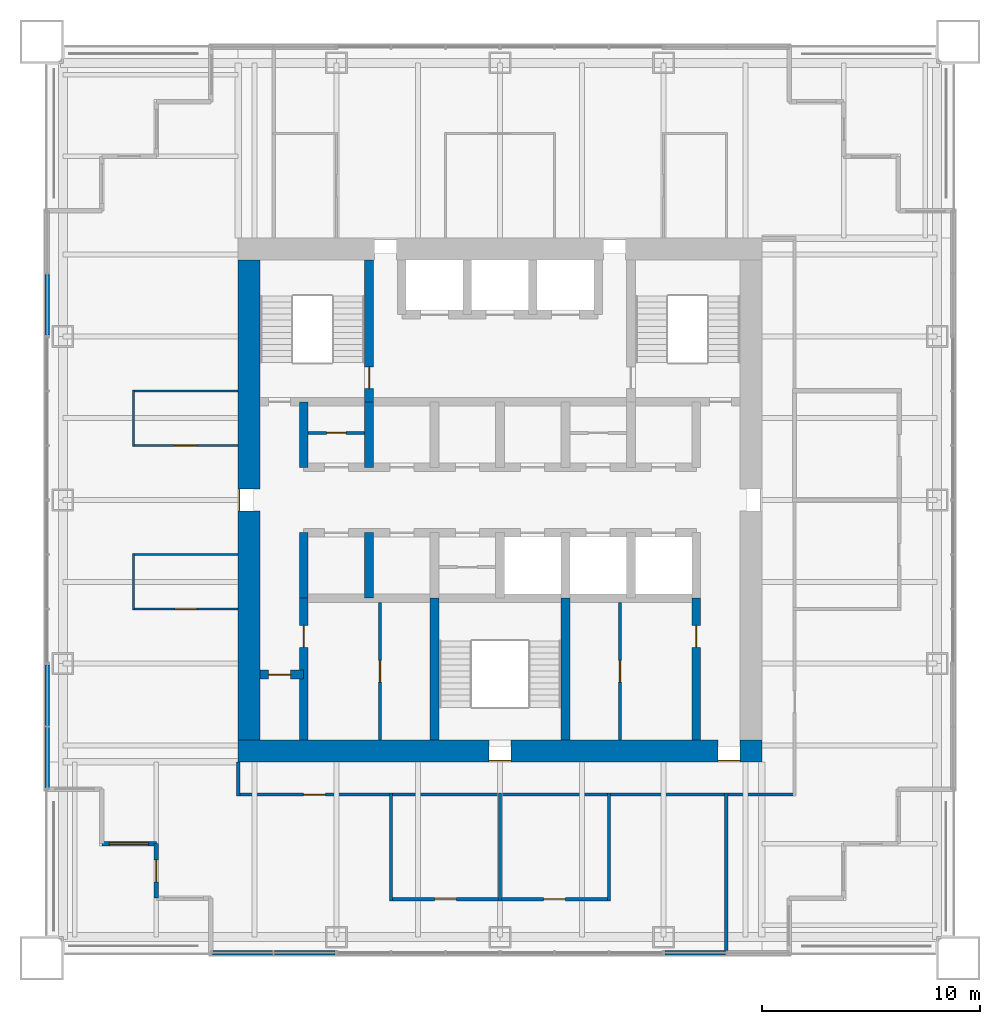
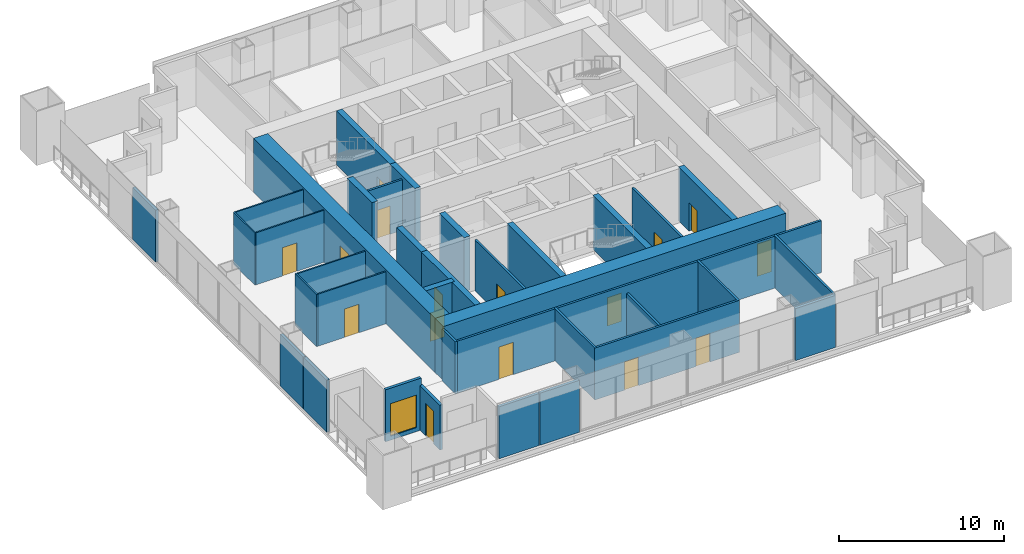
# One storey, part 9 of 14: 36 walls, 16 doors, 1 window, 17 openings.
"""IFC4 building model written with IfcOpenShell, lengths in metres."""

from ifc_helpers import new_model, si_unit, direction, frame, frame_2d, origin, place, context, subcontext, project, spatial, rectangle, extrude, material, layer, layer_set, type_object, element, fill, save


model = new_model("IFC4")

# Units and contexts
model_context = context("Model", 3, precision=1e-05, world=origin(), true_north=direction((0.0, 1.0)))
body_context = subcontext(model_context, "Body", "Model", "MODEL_VIEW")
ifc_project = project(units=[si_unit("LENGTHUNIT", "METRE"), si_unit("AREAUNIT", "SQUARE_METRE"), si_unit("VOLUMEUNIT", "CUBIC_METRE"), si_unit("PLANEANGLEUNIT", "RADIAN"), si_unit("MASSUNIT", "GRAM", prefix="KILO")], contexts=[model_context])

# Site, building, storey
site_placement = place(None, origin())
site = spatial("IfcSite", under=ifc_project, at=site_placement, CompositionType="ELEMENT")
building_placement = place(site_placement, origin())
building = spatial("IfcBuilding", under=site, at=building_placement, Name="Tarangal Relay Tower", CompositionType="ELEMENT")
storey_placement = place(building_placement, frame((0.0, 0.0, 287.89990234375)))
storey = spatial("IfcBuildingStorey", under=building, at=storey_placement, Name="L63", CompositionType="ELEMENT", Elevation=287.89990234375)

# Wall, opening, door
ifc_material_1 = material(Name="Concrete fc' 60 MPa", Category="concrete")
ifc_layer_1 = layer(ifc_material_1, 0.39990234375)
ifc_layer_set_1 = layer_set([ifc_layer_1], Name="Core inner wall 400")
wall_type_1 = type_object("IfcWallType", Name="Core inner wall 400", PredefinedType="SHEAR", material=ifc_layer_set_1)
wall_1_placement = place(storey_placement, frame((-11.0, -8.0, 0.0), z_axis=(0.0, 0.0, 1.0), x_axis=(1.0, 0.0, 0.0)))
wall_1 = element("IfcWall", 1, at=wall_1_placement, inside=storey, type_object=wall_type_1, Name="Core wall YM8 L63", PredefinedType="SHEAR", context=body_context, shape_type="SweptSolid", body=[
    extrude(rectangle(XDim=2.0, YDim=0.39990234375, at=frame_2d((1.0, 0.0))), origin(), (0.0, 0.0, 1.0), 4.0),
])
opening_1_placement = place(wall_1_placement, frame((0.39990234375, 0.0, 0.0)))
opening_1 = element("IfcOpeningElement", 2, at=opening_1_placement, cuts=wall_1, Name="Opening D1", PredefinedType="OPENING", context=body_context, shape_type="SweptSolid", body=[
    extrude(rectangle(XDim=1.0, YDim=2.10009765625, at=frame_2d((0.5, 1.050048828125))), frame((0.0, 0.2099609375, 0.0), z_axis=(0.0, -1.0, 0.0), x_axis=(1.0, 0.0, 0.0)), (0.0, 0.0, 1.0), 0.419921875),
])
ifc_material_2 = material(Name="Hardwood door", Category="wood")
door_type_1 = type_object("IfcDoorType", Name="WC door 1000 x 2100", OperationType="SINGLE_SWING_LEFT", PredefinedType="DOOR", material=ifc_material_2)
door_1_placement = place(opening_1_placement, origin())
door_1 = element("IfcDoor", 3, at=door_1_placement, inside=storey, type_object=door_type_1, Name="Accessible WC door L63", OperationType="SINGLE_SWING_LEFT", OverallHeight=2.10009765625, OverallWidth=1.0, PredefinedType="DOOR", context=body_context, shape_type="SweptSolid", body=[
    extrude(rectangle(XDim=1.0, YDim=2.10009765625, at=frame_2d((0.5, 1.050048828125))), frame((0.0, 0.02490234375, 0.0), z_axis=(0.0, -1.0, 0.0), x_axis=(1.0, 0.0, 0.0)), (0.0, 0.0, 1.0), 0.050048828125),
])
fill(opening_1, door_1)

# Walls
for number, where, z_axis, x_axis, name in (
    (4, (-9.0, 1.5, 0.0), (0.0, 0.0, 1.0), (0.0, 1.0, 0.0), "Core wall XM9N L63"),
    (5, (-9.0, -4.5, 0.0), (0.0, 0.0, 1.0), (0.0, 1.0, 0.0), "Core wall XM9S L63"),
    (6, (-6.0, 1.5, 0.0), (0.0, 0.0, 1.0), (0.0, 1.0, 0.0), "Core wall XM6N L63"),
    (7, (-6.0, -4.5, 0.0), (0.0, 0.0, 1.0), (0.0, 1.0, 0.0), "Core wall XM6S L63"),
):
    element("IfcWall", number, at=place(storey_placement, frame(where, z_axis=z_axis, x_axis=x_axis)), inside=storey, type_object=wall_type_1, Name=name, PredefinedType="SHEAR", context=body_context, shape_type="SweptSolid", body=[
        extrude(rectangle(XDim=3.0, YDim=0.39990234375, at=frame_2d((1.5, 0.0))), origin(), (0.0, 0.0, 1.0), 4.0),
    ])

# Wall, opening, door
wall_2_placement = place(storey_placement, frame((-6.0, 4.5, 0.0), z_axis=(0.0, 0.0, 1.0), x_axis=(0.0, 1.0, 0.0)))
wall_2 = element("IfcWall", 8, at=wall_2_placement, inside=storey, type_object=wall_type_1, Name="Core wall XM6 L63", PredefinedType="SHEAR", context=body_context, shape_type="SweptSolid", body=[
    extrude(rectangle(XDim=6.5, YDim=0.39990234375, at=frame_2d((3.25, 0.0))), origin(), (0.0, 0.0, 1.0), 4.0),
])
opening_2_placement = place(wall_2_placement, frame((0.60009765625, 0.0, 0.0)))
opening_2 = element("IfcOpeningElement", 9, at=opening_2_placement, cuts=wall_2, Name="Opening FD1", PredefinedType="OPENING", context=body_context, shape_type="SweptSolid", body=[
    extrude(rectangle(XDim=1.0, YDim=2.10009765625, at=frame_2d((0.5, 1.050048828125))), frame((0.0, 0.2099609375, 0.0), z_axis=(0.0, -1.0, 0.0), x_axis=(1.0, 0.0, 0.0)), (0.0, 0.0, 1.0), 0.419921875),
])
ifc_material_3 = material(Name="Steel door with hardwood frame", Category="steel")
door_type_2 = type_object("IfcDoorType", Name="Fire door 1000 x 2100", OperationType="SINGLE_SWING_LEFT", PredefinedType="DOOR", material=ifc_material_3)
door_2_placement = place(opening_2_placement, origin())
door_2 = element("IfcDoor", 10, at=door_2_placement, inside=storey, type_object=door_type_2, Name="Stair ST-A door from fire-fighting lobby L63", OperationType="SINGLE_SWING_LEFT", OverallHeight=2.10009765625, OverallWidth=1.0, PredefinedType="DOOR", context=body_context, shape_type="SweptSolid", body=[
    extrude(rectangle(XDim=1.0, YDim=2.10009765625, at=frame_2d((0.5, 1.050048828125))), frame((0.0, 0.02490234375, 0.0), z_axis=(0.0, -1.0, 0.0), x_axis=(1.0, 0.0, 0.0)), (0.0, 0.0, 1.0), 0.050048828125),
])
fill(opening_2, door_2)

wall_3_placement = place(storey_placement, frame((-9.0, -11.0, 0.0), z_axis=(0.0, 0.0, 1.0), x_axis=(0.0, 1.0, 0.0)))
wall_3 = element("IfcWall", 11, at=wall_3_placement, inside=storey, type_object=wall_type_1, Name="Core wall XM9W L63", PredefinedType="SHEAR", context=body_context, shape_type="SweptSolid", body=[
    extrude(rectangle(XDim=6.5, YDim=0.39990234375, at=frame_2d((3.25, 0.0))), origin(), (0.0, 0.0, 1.0), 4.0),
])
opening_3_placement = place(wall_3_placement, frame((4.25, 0.0, 0.0)))
opening_3 = element("IfcOpeningElement", 12, at=opening_3_placement, cuts=wall_3, Name="Opening D1", PredefinedType="OPENING", context=body_context, shape_type="SweptSolid", body=[
    extrude(rectangle(XDim=1.0, YDim=2.10009765625, at=frame_2d((0.5, 1.050048828125))), frame((0.0, 0.2099609375, 0.0), z_axis=(0.0, -1.0, 0.0), x_axis=(1.0, 0.0, 0.0)), (0.0, 0.0, 1.0), 0.419921875),
])
door_3_placement = place(opening_3_placement, origin())
door_3 = element("IfcDoor", 13, at=door_3_placement, inside=storey, type_object=door_type_1, Name="Male WC door L63", OperationType="SINGLE_SWING_LEFT", OverallHeight=2.10009765625, OverallWidth=1.0, PredefinedType="DOOR", context=body_context, shape_type="SweptSolid", body=[
    extrude(rectangle(XDim=1.0, YDim=2.10009765625, at=frame_2d((0.5, 1.050048828125))), frame((0.0, 0.02490234375, 0.0), z_axis=(0.0, -1.0, 0.0), x_axis=(1.0, 0.0, 0.0)), (0.0, 0.0, 1.0), 0.050048828125),
])
fill(opening_3, door_3)

wall_4_placement = place(storey_placement, frame((9.0, -11.0, 0.0), z_axis=(0.0, 0.0, 1.0), x_axis=(0.0, 1.0, 0.0)))
wall_4 = element("IfcWall", 14, at=wall_4_placement, inside=storey, type_object=wall_type_1, Name="Core wall X9W L63", PredefinedType="SHEAR", context=body_context, shape_type="SweptSolid", body=[
    extrude(rectangle(XDim=6.5, YDim=0.39990234375, at=frame_2d((3.25, 0.0))), origin(), (0.0, 0.0, 1.0), 4.0),
])
opening_4_placement = place(wall_4_placement, frame((4.25, 0.0, 0.0)))
opening_4 = element("IfcOpeningElement", 15, at=opening_4_placement, cuts=wall_4, Name="Opening D1", PredefinedType="OPENING", context=body_context, shape_type="SweptSolid", body=[
    extrude(rectangle(XDim=1.0, YDim=2.10009765625, at=frame_2d((0.5, 1.050048828125))), frame((0.0, 0.2099609375, 0.0), z_axis=(0.0, -1.0, 0.0), x_axis=(1.0, 0.0, 0.0)), (0.0, 0.0, 1.0), 0.419921875),
])
door_4_placement = place(opening_4_placement, origin())
door_4 = element("IfcDoor", 16, at=door_4_placement, inside=storey, type_object=door_type_1, Name="Female WC door L63", OperationType="SINGLE_SWING_LEFT", OverallHeight=2.10009765625, OverallWidth=1.0, PredefinedType="DOOR", context=body_context, shape_type="SweptSolid", body=[
    extrude(rectangle(XDim=1.0, YDim=2.10009765625, at=frame_2d((0.5, 1.050048828125))), frame((0.0, 0.02490234375, 0.0), z_axis=(0.0, -1.0, 0.0), x_axis=(1.0, 0.0, 0.0)), (0.0, 0.0, 1.0), 0.050048828125),
])
fill(opening_4, door_4)

# Walls
for number, where, z_axis, x_axis, name in (
    (17, (-3.0, -11.0, 0.0), (0.0, 0.0, 1.0), (0.0, 1.0, 0.0), "Core wall XM3W L63"),
    (18, (3.0, -11.0, 0.0), (0.0, 0.0, 1.0), (0.0, 1.0, 0.0), "Core wall X3W L63"),
):
    element("IfcWall", number, at=place(storey_placement, frame(where, z_axis=z_axis, x_axis=x_axis)), inside=storey, type_object=wall_type_1, Name=name, PredefinedType="SHEAR", context=body_context, shape_type="SweptSolid", body=[
        extrude(rectangle(XDim=6.5, YDim=0.39990234375, at=frame_2d((3.25, 0.0))), origin(), (0.0, 0.0, 1.0), 4.0),
    ])

# Wall, openings, doors
ifc_layer_2 = layer(ifc_material_1, 1.0)
ifc_layer_set_2 = layer_set([ifc_layer_2], Name="Core wall 1000")
wall_type_2 = type_object("IfcWallType", Name="Core wall 1000", PredefinedType="SHEAR", material=ifc_layer_set_2)
wall_5_placement = place(storey_placement, frame((12.0, -11.5, 0.0), z_axis=(0.0, 0.0, 1.0), x_axis=(-1.0, 0.0, 0.0)))
wall_5 = element("IfcWall", 19, at=wall_5_placement, inside=storey, type_object=wall_type_2, Name="Core wall S L63", PredefinedType="SHEAR", context=body_context, shape_type="SweptSolid", body=[
    extrude(rectangle(XDim=24.0, YDim=1.0, at=frame_2d((12.0, 0.0))), origin(), (0.0, 0.0, 1.0), 4.0),
])
opening_5_placement = place(wall_5_placement, frame((11.5, 0.0, 0.0)))
opening_5 = element("IfcOpeningElement", 20, at=opening_5_placement, cuts=wall_5, Name="Opening FD1", PredefinedType="OPENING", context=body_context, shape_type="SweptSolid", body=[
    extrude(rectangle(XDim=1.0, YDim=2.10009765625, at=frame_2d((0.5, 1.050048828125))), frame((0.0, 0.510009765625, 0.0), z_axis=(0.0, -1.0, 0.0), x_axis=(1.0, 0.0, 0.0)), (0.0, 0.0, 1.0), 1.02001953125),
])
opening_6_placement = place(wall_5_placement, frame((1.0, 0.0, 0.0)))
opening_6 = element("IfcOpeningElement", 21, at=opening_6_placement, cuts=wall_5, Name="Opening FD3", PredefinedType="OPENING", context=body_context, shape_type="SweptSolid", body=[
    extrude(rectangle(XDim=1.0, YDim=2.39990234375, at=frame_2d((0.5, 1.199951171875))), frame((0.0, 0.510009765625, 0.0), z_axis=(0.0, -1.0, 0.0), x_axis=(1.0, 0.0, 0.0)), (0.0, 0.0, 1.0), 1.02001953125),
])
door_5_placement = place(opening_5_placement, origin())
door_5 = element("IfcDoor", 22, at=door_5_placement, inside=storey, type_object=door_type_2, Name="Stair ST-C door L63", OperationType="SINGLE_SWING_LEFT", OverallHeight=2.10009765625, OverallWidth=1.0, PredefinedType="DOOR", context=body_context, shape_type="SweptSolid", body=[
    extrude(rectangle(XDim=1.0, YDim=2.10009765625, at=frame_2d((0.5, 1.050048828125))), frame((0.0, 0.48486328125, 0.0), z_axis=(0.0, -1.0, 0.0), x_axis=(1.0, 0.0, 0.0)), (0.0, 0.0, 1.0), 0.050048828125),
])
fill(opening_5, door_5)
door_type_3 = type_object("IfcDoorType", Name="Fire door 1000 x 2400 core entry", OperationType="SINGLE_SWING_RIGHT", PredefinedType="DOOR", material=ifc_material_3)
door_6_placement = place(opening_6_placement, origin())
door_6 = element("IfcDoor", 23, at=door_6_placement, inside=storey, type_object=door_type_3, Name="Core entry door south east L63", OperationType="SINGLE_SWING_RIGHT", OverallHeight=2.39990234375, OverallWidth=1.0, PredefinedType="DOOR", context=body_context, shape_type="SweptSolid", body=[
    extrude(rectangle(XDim=1.0, YDim=2.39990234375, at=frame_2d((0.5, 1.199951171875))), frame((0.0, 0.48486328125, 0.0), z_axis=(0.0, -1.0, 0.0), x_axis=(1.0, 0.0, 0.0)), (0.0, 0.0, 1.0), 0.050048828125),
])
fill(opening_6, door_6)

# Wall, opening, door
wall_6_placement = place(storey_placement, frame((-11.5, -11.0, 0.0), z_axis=(0.0, 0.0, 1.0), x_axis=(0.0, 1.0, 0.0)))
wall_6 = element("IfcWall", 24, at=wall_6_placement, inside=storey, type_object=wall_type_2, Name="Core wall W L63", PredefinedType="SHEAR", context=body_context, shape_type="SweptSolid", body=[
    extrude(rectangle(XDim=22.0, YDim=1.0, at=frame_2d((11.0, 0.0))), origin(), (0.0, 0.0, 1.0), 4.0),
])
opening_7_placement = place(wall_6_placement, frame((10.5, 0.0, 0.0)))
opening_7 = element("IfcOpeningElement", 25, at=opening_7_placement, cuts=wall_6, Name="Opening FD3", PredefinedType="OPENING", context=body_context, shape_type="SweptSolid", body=[
    extrude(rectangle(XDim=1.0, YDim=2.39990234375, at=frame_2d((0.5, 1.199951171875))), frame((0.0, 0.510009765625, 0.0), z_axis=(0.0, -1.0, 0.0), x_axis=(1.0, 0.0, 0.0)), (0.0, 0.0, 1.0), 1.02001953125),
])
door_7_placement = place(opening_7_placement, origin())
door_7 = element("IfcDoor", 26, at=door_7_placement, inside=storey, type_object=door_type_3, Name="Core entry door west L63", OperationType="SINGLE_SWING_RIGHT", OverallHeight=2.39990234375, OverallWidth=1.0, PredefinedType="DOOR", context=body_context, shape_type="SweptSolid", body=[
    extrude(rectangle(XDim=1.0, YDim=2.39990234375, at=frame_2d((0.5, 1.199951171875))), frame((0.0, 0.48486328125, 0.0), z_axis=(0.0, -1.0, 0.0), x_axis=(1.0, 0.0, 0.0)), (0.0, 0.0, 1.0), 0.050048828125),
])
fill(opening_7, door_7)

ifc_material_4 = material(Name="Black metal clad insulated wall", Category="steel")
ifc_layer_3 = layer(ifc_material_4, 0.199951171875)
ifc_layer_set_3 = layer_set([ifc_layer_3], Name="Corner wall metal clad 200")
wall_type_3 = type_object("IfcWallType", Name="Corner wall metal clad 200", PredefinedType="SOLIDWALL", material=ifc_layer_set_3)
wall_7_placement = place(storey_placement, frame((-15.75, -18.25, 0.0), z_axis=(0.0, 0.0, 1.0), x_axis=(0.0, 1.0, 0.0)))
wall_7 = element("IfcWall", 27, at=wall_7_placement, inside=storey, type_object=wall_type_3, Name="Facade wall S facade L63", PredefinedType="SOLIDWALL", context=body_context, shape_type="SweptSolid", body=[
    extrude(rectangle(XDim=2.5, YDim=0.199951171875, at=frame_2d((1.25, 0.0))), origin(), (0.0, 0.0, 1.0), 3.316650390625),
])
opening_8_placement = place(wall_7_placement, frame((0.75, 0.0, 0.0)))
opening_8 = element("IfcOpeningElement", 28, at=opening_8_placement, cuts=wall_7, Name="Opening TD1", PredefinedType="OPENING", context=body_context, shape_type="SweptSolid", body=[
    extrude(rectangle(XDim=1.0, YDim=2.39990234375, at=frame_2d((0.5, 1.199951171875))), frame((0.0, 0.10986328125, 0.0), z_axis=(0.0, -1.0, 0.0), x_axis=(1.0, 0.0, 0.0)), (0.0, 0.0, 1.0), 0.219970703125),
])
ifc_material_5 = material(Name="Aluminium glazed door", Category="aluminium")
door_type_4 = type_object("IfcDoorType", Name="Terrace door 1000 x 2400", OperationType="SINGLE_SWING_RIGHT", PredefinedType="DOOR", material=ifc_material_5)
door_8_placement = place(opening_8_placement, origin())
door_8 = element("IfcDoor", 29, at=door_8_placement, inside=storey, type_object=door_type_4, Name="Terrace door TD1 SW L63", OperationType="SINGLE_SWING_RIGHT", OverallHeight=2.39990234375, OverallWidth=1.0, PredefinedType="DOOR", context=body_context, shape_type="SweptSolid", body=[
    extrude(rectangle(XDim=1.0, YDim=2.39990234375, at=frame_2d((0.5, 1.199951171875))), frame((0.0, 0.02490234375, 0.0), z_axis=(0.0, -1.0, 0.0), x_axis=(1.0, 0.0, 0.0)), (0.0, 0.0, 1.0), 0.050048828125),
])
fill(opening_8, door_8)

# Wall, opening, window
wall_8_placement = place(storey_placement, frame((-15.75, -15.75, 0.0), z_axis=(0.0, 0.0, 1.0), x_axis=(-1.0, 0.0, 0.0)))
wall_8 = element("IfcWall", 30, at=wall_8_placement, inside=storey, type_object=wall_type_3, Name="Facade wall S facade L63", PredefinedType="SOLIDWALL", context=body_context, shape_type="SweptSolid", body=[
    extrude(rectangle(XDim=2.5, YDim=0.199951171875, at=frame_2d((1.25, 0.0))), origin(), (0.0, 0.0, 1.0), 3.85009765625),
])
opening_9_placement = place(wall_8_placement, frame((0.35009765625, 0.0, 0.300048828125)))
opening_9 = element("IfcOpeningElement", 31, at=opening_9_placement, cuts=wall_8, Name="Opening WN2", PredefinedType="OPENING", context=body_context, shape_type="SweptSolid", body=[
    extrude(rectangle(XDim=1.800048828125, YDim=2.39990234375, at=frame_2d((0.89990234375, 1.199951171875))), frame((0.0, 0.10986328125, 0.0), z_axis=(0.0, -1.0, 0.0), x_axis=(1.0, 0.0, 0.0)), (0.0, 0.0, 1.0), 0.219970703125),
])
ifc_material_6 = material(Name="Dark tinted double glazing in black aluminium frame", Category="aluminium")
window_type = type_object("IfcWindowType", Name="Corner window 1800 x 2400", PartitioningType="SINGLE_PANEL", PredefinedType="WINDOW", material=ifc_material_6)
window_placement = place(opening_9_placement, origin())
window = element("IfcWindow", 32, at=window_placement, inside=storey, type_object=window_type, Name="Corner window WN2 S facade L63", OverallHeight=2.39990234375, OverallWidth=1.800048828125, PartitioningType="SINGLE_PANEL", PredefinedType="WINDOW", context=body_context, shape_type="SweptSolid", body=[
    extrude(rectangle(XDim=1.800048828125, YDim=2.39990234375, at=frame_2d((0.89990234375, 1.199951171875))), frame((0.0, 0.030029296875, 0.0), z_axis=(0.0, -1.0, 0.0), x_axis=(1.0, 0.0, 0.0)), (0.0, 0.0, 1.0), 0.06005859375),
])
fill(opening_9, window)

# Walls
ifc_layer_4 = layer(ifc_material_4, 0.199951171875)
ifc_layer_set_4 = layer_set([ifc_layer_4], Name="Facade infill wall metal clad 200")
wall_type_4 = type_object("IfcWallType", Name="Facade infill wall metal clad 200", PredefinedType="SOLIDWALL", material=ifc_layer_set_4)
for number, where, z_axis, x_axis, name in (
    (33, (10.344970703125, -20.75, 0.0), (0.0, 0.0, 1.0), (-1.0, 0.0, 0.0), "Facade infill wall S facade L63 2.1"),
    (34, (-7.56005859375, -20.75, 0.0), (0.0, 0.0, 1.0), (-1.0, 0.0, 0.0), "Facade infill wall S facade L63 1.1"),
    (35, (-10.405029296875, -20.75, 0.0), (0.0, 0.0, 1.0), (-1.0, 0.0, 0.0), "Facade infill wall S facade L63 2.1"),
    (36, (-20.75, -13.18994140625, 0.0), (0.0, 0.0, 1.0), (0.0, 1.0, 0.0), "Facade infill wall W facade L63 1.1"),
    (37, (-20.75, -10.344970703125, 0.0), (0.0, 0.0, 1.0), (0.0, 1.0, 0.0), "Facade infill wall W facade L63 2.1"),
    (38, (-20.75, 7.56005859375, 0.0), (0.0, 0.0, 1.0), (0.0, 1.0, 0.0), "Facade infill wall W facade L63 1.1"),
):
    element("IfcWall", number, at=place(storey_placement, frame(where, z_axis=z_axis, x_axis=x_axis)), inside=storey, type_object=wall_type_4, Name=name, PredefinedType="SOLIDWALL", context=body_context, shape_type="SweptSolid", body=[
        extrude(rectangle(XDim=2.784912109375, YDim=0.199951171875, at=frame_2d((1.392578125, 0.0))), origin(), (0.0, 0.0, 1.0), 3.85009765625),
    ])

# Wall, opening, door
ifc_material_7 = material(Name="Double glazed aluminium framed partition", Category="aluminium")
ifc_layer_5 = layer(ifc_material_7, 0.10009765625)
ifc_layer_set_5 = layer_set([ifc_layer_5], Name="Glazed partition 100")
wall_type_5 = type_object("IfcWallType", Name="Glazed partition 100", PredefinedType="PARTITIONING", material=ifc_layer_set_5)
wall_9_placement = place(storey_placement, frame((-16.85009765625, -5.0, 0.0), z_axis=(0.0, 0.0, 1.0), x_axis=(1.0, 0.0, 0.0)))
wall_9 = element("IfcWall", 39, at=wall_9_placement, inside=storey, type_object=wall_type_5, Name="Partition PT3 L63", PredefinedType="PARTITIONING", context=body_context, shape_type="SweptSolid", body=[
    extrude(rectangle(XDim=4.85009765625, YDim=0.10009765625, at=frame_2d((2.425048828125, 0.0))), origin(), (0.0, 0.0, 1.0), 3.85009765625),
])
opening_10_placement = place(wall_9_placement, frame((1.949951171875, 0.0, 0.0)))
opening_10 = element("IfcOpeningElement", 40, at=opening_10_placement, cuts=wall_9, Name="Opening D3", PredefinedType="OPENING", context=body_context, shape_type="SweptSolid", body=[
    extrude(rectangle(XDim=1.0, YDim=2.10009765625, at=frame_2d((0.5, 1.050048828125))), frame((0.0, 0.06005859375, 0.0), z_axis=(0.0, -1.0, 0.0), x_axis=(1.0, 0.0, 0.0)), (0.0, 0.0, 1.0), 0.1201171875),
])
ifc_material_8 = material(Name="Frameless glass door", Category="glass")
door_type_5 = type_object("IfcDoorType", Name="Glazed door 1000 x 2100", OperationType="SINGLE_SWING_LEFT", PredefinedType="DOOR", material=ifc_material_8)
door_9_placement = place(opening_10_placement, origin())
door_9 = element("IfcDoor", 41, at=door_9_placement, inside=storey, type_object=door_type_5, Name="Door D3 to project room L63-09", OperationType="SINGLE_SWING_LEFT", OverallHeight=2.10009765625, OverallWidth=1.0, PredefinedType="DOOR", context=body_context, shape_type="SweptSolid", body=[
    extrude(rectangle(XDim=1.0, YDim=2.10009765625, at=frame_2d((0.5, 1.050048828125))), frame((0.0, 0.02490234375, 0.0), z_axis=(0.0, -1.0, 0.0), x_axis=(1.0, 0.0, 0.0)), (0.0, 0.0, 1.0), 0.050048828125),
])
fill(opening_10, door_9)

# Wall
wall_10_placement = place(storey_placement, frame((-16.85009765625, -2.5, 0.0), z_axis=(0.0, 0.0, 1.0), x_axis=(1.0, 0.0, 0.0)))
element("IfcWall", 42, at=wall_10_placement, inside=storey, type_object=wall_type_5, Name="Partition PT3 L63", PredefinedType="PARTITIONING", context=body_context, shape_type="SweptSolid", body=[
    extrude(rectangle(XDim=4.85009765625, YDim=0.10009765625, at=frame_2d((2.425048828125, 0.0))), origin(), (0.0, 0.0, 1.0), 3.85009765625),
])

# Wall, opening, door
wall_11_placement = place(storey_placement, frame((-16.85009765625, 2.5, 0.0), z_axis=(0.0, 0.0, 1.0), x_axis=(1.0, 0.0, 0.0)))
wall_11 = element("IfcWall", 43, at=wall_11_placement, inside=storey, type_object=wall_type_5, Name="Partition PT3 L63", PredefinedType="PARTITIONING", context=body_context, shape_type="SweptSolid", body=[
    extrude(rectangle(XDim=4.85009765625, YDim=0.10009765625, at=frame_2d((2.425048828125, 0.0))), origin(), (0.0, 0.0, 1.0), 3.85009765625),
])
opening_11_placement = place(wall_11_placement, frame((1.949951171875, 0.0, 0.0)))
opening_11 = element("IfcOpeningElement", 44, at=opening_11_placement, cuts=wall_11, Name="Opening D3", PredefinedType="OPENING", context=body_context, shape_type="SweptSolid", body=[
    extrude(rectangle(XDim=1.0, YDim=2.10009765625, at=frame_2d((0.5, 1.050048828125))), frame((0.0, 0.06005859375, 0.0), z_axis=(0.0, -1.0, 0.0), x_axis=(1.0, 0.0, 0.0)), (0.0, 0.0, 1.0), 0.1201171875),
])
door_10_placement = place(opening_11_placement, origin())
door_10 = element("IfcDoor", 45, at=door_10_placement, inside=storey, type_object=door_type_5, Name="Door D3 to meeting room L63-10", OperationType="SINGLE_SWING_LEFT", OverallHeight=2.10009765625, OverallWidth=1.0, PredefinedType="DOOR", context=body_context, shape_type="SweptSolid", body=[
    extrude(rectangle(XDim=1.0, YDim=2.10009765625, at=frame_2d((0.5, 1.050048828125))), frame((0.0, 0.02490234375, 0.0), z_axis=(0.0, -1.0, 0.0), x_axis=(1.0, 0.0, 0.0)), (0.0, 0.0, 1.0), 0.050048828125),
])
fill(opening_11, door_10)

# Walls
wall_12_placement = place(storey_placement, frame((-16.85009765625, 5.0, 0.0), z_axis=(0.0, 0.0, 1.0), x_axis=(1.0, 0.0, 0.0)))
element("IfcWall", 46, at=wall_12_placement, inside=storey, type_object=wall_type_5, Name="Partition PT3 L63", PredefinedType="PARTITIONING", context=body_context, shape_type="SweptSolid", body=[
    extrude(rectangle(XDim=4.85009765625, YDim=0.10009765625, at=frame_2d((2.425048828125, 0.0))), origin(), (0.0, 0.0, 1.0), 3.85009765625),
])
for number, where, z_axis, x_axis, name in (
    (47, (-16.800048828125, -5.050048828125, 0.0), (0.0, 0.0, 1.0), (0.0, 1.0, 0.0), "Partition PT3 L63"),
    (48, (-16.800048828125, 2.449951171875, 0.0), (0.0, 0.0, 1.0), (0.0, 1.0, 0.0), "Partition PT3 L63"),
):
    element("IfcWall", number, at=place(storey_placement, frame(where, z_axis=z_axis, x_axis=x_axis)), inside=storey, type_object=wall_type_5, Name=name, PredefinedType="PARTITIONING", context=body_context, shape_type="SweptSolid", body=[
        extrude(rectangle(XDim=2.60009765625, YDim=0.10009765625, at=frame_2d((1.300048828125, 0.0))), origin(), (0.0, 0.0, 1.0), 3.85009765625),
    ])

# Wall, openings, doors
ifc_material_9 = material(Name="Gypsum board on steel studs", Category="steel")
ifc_layer_6 = layer(ifc_material_9, 0.14990234375)
ifc_layer_set_6 = layer_set([ifc_layer_6], Name="Partition 150")
wall_type_6 = type_object("IfcWallType", Name="Partition 150", PredefinedType="PARTITIONING", material=ifc_layer_set_6)
wall_13_placement = place(storey_placement, frame((-5.074951171875, -18.300048828125, 0.0), z_axis=(0.0, 0.0, 1.0), x_axis=(1.0, 0.0, 0.0)))
wall_13 = element("IfcWall", 49, at=wall_13_placement, inside=storey, type_object=wall_type_6, Name="Partition PT1 L63", PredefinedType="PARTITIONING", context=body_context, shape_type="SweptSolid", body=[
    extrude(rectangle(XDim=10.14990234375, YDim=0.14990234375, at=frame_2d((5.074951171875, 0.0))), origin(), (0.0, 0.0, 1.0), 3.85009765625),
])
opening_12_placement = place(wall_13_placement, frame((7.074951171875, 0.0, 0.0)))
opening_12 = element("IfcOpeningElement", 50, at=opening_12_placement, cuts=wall_13, Name="Opening D2", PredefinedType="OPENING", context=body_context, shape_type="SweptSolid", body=[
    extrude(rectangle(XDim=1.0, YDim=2.10009765625, at=frame_2d((0.5, 1.050048828125))), frame((0.0, 0.0849609375, 0.0), z_axis=(0.0, -1.0, 0.0), x_axis=(1.0, 0.0, 0.0)), (0.0, 0.0, 1.0), 0.169921875),
])
opening_13_placement = place(wall_13_placement, frame((2.074951171875, 0.0, 0.0)))
opening_13 = element("IfcOpeningElement", 51, at=opening_13_placement, cuts=wall_13, Name="Opening D2", PredefinedType="OPENING", context=body_context, shape_type="SweptSolid", body=[
    extrude(rectangle(XDim=1.0, YDim=2.10009765625, at=frame_2d((0.5, 1.050048828125))), frame((0.0, 0.0849609375, 0.0), z_axis=(0.0, -1.0, 0.0), x_axis=(1.0, 0.0, 0.0)), (0.0, 0.0, 1.0), 0.169921875),
])
door_type_6 = type_object("IfcDoorType", Name="Door 1000 x 2100", OperationType="SINGLE_SWING_LEFT", PredefinedType="DOOR", material=ifc_material_2)
door_11_placement = place(opening_12_placement, origin())
door_11 = element("IfcDoor", 52, at=door_11_placement, inside=storey, type_object=door_type_6, Name="Door D2 to print room L63-07", OperationType="SINGLE_SWING_LEFT", OverallHeight=2.10009765625, OverallWidth=1.0, PredefinedType="DOOR", context=body_context, shape_type="SweptSolid", body=[
    extrude(rectangle(XDim=1.0, YDim=2.10009765625, at=frame_2d((0.5, 1.050048828125))), frame((0.0, 0.02490234375, 0.0), z_axis=(0.0, -1.0, 0.0), x_axis=(1.0, 0.0, 0.0)), (0.0, 0.0, 1.0), 0.050048828125),
])
fill(opening_12, door_11)
door_12_placement = place(opening_13_placement, origin())
door_12 = element("IfcDoor", 53, at=door_12_placement, inside=storey, type_object=door_type_6, Name="Door D2 to tea pantry L63-08", OperationType="SINGLE_SWING_LEFT", OverallHeight=2.10009765625, OverallWidth=1.0, PredefinedType="DOOR", context=body_context, shape_type="SweptSolid", body=[
    extrude(rectangle(XDim=1.0, YDim=2.10009765625, at=frame_2d((0.5, 1.050048828125))), frame((0.0, 0.02490234375, 0.0), z_axis=(0.0, -1.0, 0.0), x_axis=(1.0, 0.0, 0.0)), (0.0, 0.0, 1.0), 0.050048828125),
])
fill(opening_13, door_12)

# Wall, opening, door
wall_14_placement = place(storey_placement, frame((-12.074951171875, -13.5, 0.0), z_axis=(0.0, 0.0, 1.0), x_axis=(1.0, 0.0, 0.0)))
wall_14 = element("IfcWall", 54, at=wall_14_placement, inside=storey, type_object=wall_type_6, Name="Partition PT1 L63", PredefinedType="PARTITIONING", context=body_context, shape_type="SweptSolid", body=[
    extrude(rectangle(XDim=25.64990234375, YDim=0.14990234375, at=frame_2d((12.824951171875, 0.0))), origin(), (0.0, 0.0, 1.0), 3.85009765625),
])
opening_14_placement = place(wall_14_placement, frame((3.074951171875, 0.0, 0.0)))
opening_14 = element("IfcOpeningElement", 55, at=opening_14_placement, cuts=wall_14, Name="Opening SD1", PredefinedType="OPENING", context=body_context, shape_type="SweptSolid", body=[
    extrude(rectangle(XDim=1.0, YDim=2.39990234375, at=frame_2d((0.5, 1.199951171875))), frame((0.0, 0.0849609375, 0.0), z_axis=(0.0, -1.0, 0.0), x_axis=(1.0, 0.0, 0.0)), (0.0, 0.0, 1.0), 0.169921875),
])
door_type_7 = type_object("IfcDoorType", Name="Suite entrance door 1000 x 2400", OperationType="SINGLE_SWING_RIGHT", PredefinedType="DOOR", material=ifc_material_3)
door_13_placement = place(opening_14_placement, origin())
door_13 = element("IfcDoor", 56, at=door_13_placement, inside=storey, type_object=door_type_7, Name="Door SD1 to open plan office L63-12", OperationType="SINGLE_SWING_RIGHT", OverallHeight=2.39990234375, OverallWidth=1.0, PredefinedType="DOOR", context=body_context, shape_type="SweptSolid", body=[
    extrude(rectangle(XDim=1.0, YDim=2.39990234375, at=frame_2d((0.5, 1.199951171875))), frame((0.0, 0.02490234375, 0.0), z_axis=(0.0, -1.0, 0.0), x_axis=(1.0, 0.0, 0.0)), (0.0, 0.0, 1.0), 0.050048828125),
])
fill(opening_14, door_13)

# Walls
wall_15_placement = place(storey_placement, frame((-12.0, -13.574951171875, 0.0), z_axis=(0.0, 0.0, 1.0), x_axis=(0.0, 1.0, 0.0)))
element("IfcWall", 57, at=wall_15_placement, inside=storey, type_object=wall_type_6, Name="Partition PT1 L63", PredefinedType="PARTITIONING", context=body_context, shape_type="SweptSolid", body=[
    extrude(rectangle(XDim=1.574951171875, YDim=0.14990234375, at=frame_2d((0.78759765625, 0.0))), origin(), (0.0, 0.0, 1.0), 3.85009765625),
])
wall_16_placement = place(storey_placement, frame((-5.0, -18.375, 0.0), z_axis=(0.0, 0.0, 1.0), x_axis=(0.0, 1.0, 0.0)))
element("IfcWall", 58, at=wall_16_placement, inside=storey, type_object=wall_type_6, Name="Partition PT1 L63", PredefinedType="PARTITIONING", context=body_context, shape_type="SweptSolid", body=[
    extrude(rectangle(XDim=4.949951171875, YDim=0.14990234375, at=frame_2d((2.47509765625, 0.0))), origin(), (0.0, 0.0, 1.0), 3.85009765625),
])
wall_17_placement = place(storey_placement, frame((0.0, -18.375, 0.0), z_axis=(0.0, 0.0, 1.0), x_axis=(0.0, 1.0, 0.0)))
element("IfcWall", 59, at=wall_17_placement, inside=storey, type_object=wall_type_6, Name="Partition PT1 L63", PredefinedType="PARTITIONING", context=body_context, shape_type="SweptSolid", body=[
    extrude(rectangle(XDim=4.949951171875, YDim=0.14990234375, at=frame_2d((2.47509765625, 0.0))), origin(), (0.0, 0.0, 1.0), 3.2431640625),
])
wall_18_placement = place(storey_placement, frame((5.0, -18.375, 0.0), z_axis=(0.0, 0.0, 1.0), x_axis=(0.0, 1.0, 0.0)))
element("IfcWall", 60, at=wall_18_placement, inside=storey, type_object=wall_type_6, Name="Partition PT1 L63", PredefinedType="PARTITIONING", context=body_context, shape_type="SweptSolid", body=[
    extrude(rectangle(XDim=4.949951171875, YDim=0.14990234375, at=frame_2d((2.47509765625, 0.0))), origin(), (0.0, 0.0, 1.0), 3.85009765625),
])
wall_19_placement = place(storey_placement, frame((10.375, -20.64990234375, 0.0), z_axis=(0.0, 0.0, 1.0), x_axis=(0.0, 1.0, 0.0)))
element("IfcWall", 61, at=wall_19_placement, inside=storey, type_object=wall_type_6, Name="Partition PT1 L63", PredefinedType="PARTITIONING", context=body_context, shape_type="SweptSolid", body=[
    extrude(rectangle(XDim=7.224853515625, YDim=0.14990234375, at=frame_2d((3.6123046875, 0.0))), origin(), (0.0, 0.0, 1.0), 3.85009765625),
])

# Wall, opening, door
wall_20_placement = place(storey_placement, frame((-5.5, -11.0, 0.0), z_axis=(0.0, 0.0, 1.0), x_axis=(0.0, 1.0, 0.0)))
wall_20 = element("IfcWall", 62, at=wall_20_placement, inside=storey, type_object=wall_type_6, Name="Partition PT1 L63", PredefinedType="PARTITIONING", context=body_context, shape_type="SweptSolid", body=[
    extrude(rectangle(XDim=6.300048828125, YDim=0.14990234375, at=frame_2d((3.14990234375, 0.0))), origin(), (0.0, 0.0, 1.0), 3.75),
])
opening_15_placement = place(wall_20_placement, frame((2.64990234375, 0.0, 0.0)))
opening_15 = element("IfcOpeningElement", 63, at=opening_15_placement, cuts=wall_20, Name="Opening D1", PredefinedType="OPENING", context=body_context, shape_type="SweptSolid", body=[
    extrude(rectangle(XDim=1.0, YDim=2.10009765625, at=frame_2d((0.5, 1.050048828125))), frame((0.0, 0.0849609375, 0.0), z_axis=(0.0, -1.0, 0.0), x_axis=(1.0, 0.0, 0.0)), (0.0, 0.0, 1.0), 0.169921875),
])
door_14_placement = place(opening_15_placement, origin())
door_14 = element("IfcDoor", 64, at=door_14_placement, inside=storey, type_object=door_type_1, Name="Door D1 to male shower and changing room L63-C7B", OperationType="SINGLE_SWING_LEFT", OverallHeight=2.10009765625, OverallWidth=1.0, PredefinedType="DOOR", context=body_context, shape_type="SweptSolid", body=[
    extrude(rectangle(XDim=1.0, YDim=2.10009765625, at=frame_2d((0.5, 1.050048828125))), frame((0.0, 0.02490234375, 0.0), z_axis=(0.0, -1.0, 0.0), x_axis=(1.0, 0.0, 0.0)), (0.0, 0.0, 1.0), 0.050048828125),
])
fill(opening_15, door_14)

wall_21_placement = place(storey_placement, frame((5.5, -11.0, 0.0), z_axis=(0.0, 0.0, 1.0), x_axis=(0.0, 1.0, 0.0)))
wall_21 = element("IfcWall", 65, at=wall_21_placement, inside=storey, type_object=wall_type_6, Name="Partition PT1 L63", PredefinedType="PARTITIONING", context=body_context, shape_type="SweptSolid", body=[
    extrude(rectangle(XDim=6.300048828125, YDim=0.14990234375, at=frame_2d((3.14990234375, 0.0))), origin(), (0.0, 0.0, 1.0), 3.75),
])
opening_16_placement = place(wall_21_placement, frame((2.64990234375, 0.0, 0.0)))
opening_16 = element("IfcOpeningElement", 66, at=opening_16_placement, cuts=wall_21, Name="Opening D1", PredefinedType="OPENING", context=body_context, shape_type="SweptSolid", body=[
    extrude(rectangle(XDim=1.0, YDim=2.10009765625, at=frame_2d((0.5, 1.050048828125))), frame((0.0, 0.0849609375, 0.0), z_axis=(0.0, -1.0, 0.0), x_axis=(1.0, 0.0, 0.0)), (0.0, 0.0, 1.0), 0.169921875),
])
door_15_placement = place(opening_16_placement, origin())
door_15 = element("IfcDoor", 67, at=door_15_placement, inside=storey, type_object=door_type_1, Name="Door D1 to female shower and changing room L63-C10B", OperationType="SINGLE_SWING_LEFT", OverallHeight=2.10009765625, OverallWidth=1.0, PredefinedType="DOOR", context=body_context, shape_type="SweptSolid", body=[
    extrude(rectangle(XDim=1.0, YDim=2.10009765625, at=frame_2d((0.5, 1.050048828125))), frame((0.0, 0.02490234375, 0.0), z_axis=(0.0, -1.0, 0.0), x_axis=(1.0, 0.0, 0.0)), (0.0, 0.0, 1.0), 0.050048828125),
])
fill(opening_16, door_15)

wall_22_placement = place(storey_placement, frame((-8.800048828125, 3.074951171875, 0.0), z_axis=(0.0, 0.0, 1.0), x_axis=(1.0, 0.0, 0.0)))
wall_22 = element("IfcWall", 68, at=wall_22_placement, inside=storey, type_object=wall_type_6, Name="Partition PT1 L63", PredefinedType="PARTITIONING", context=body_context, shape_type="SweptSolid", body=[
    extrude(rectangle(XDim=2.60009765625, YDim=0.14990234375, at=frame_2d((1.300048828125, 0.0))), origin(), (0.0, 0.0, 1.0), 3.75),
])
opening_17_placement = place(wall_22_placement, frame((0.85009765625, 0.0, 0.0)))
opening_17 = element("IfcOpeningElement", 69, at=opening_17_placement, cuts=wall_22, Name="Opening D5", PredefinedType="OPENING", context=body_context, shape_type="SweptSolid", body=[
    extrude(rectangle(XDim=0.89990234375, YDim=2.10009765625, at=frame_2d((0.449951171875, 1.050048828125))), frame((0.0, 0.0849609375, 0.0), z_axis=(0.0, -1.0, 0.0), x_axis=(1.0, 0.0, 0.0)), (0.0, 0.0, 1.0), 0.169921875),
])
door_type_8 = type_object("IfcDoorType", Name="Cupboard door 900 x 2100", OperationType="SINGLE_SWING_LEFT", PredefinedType="DOOR", material=ifc_material_2)
door_16_placement = place(opening_17_placement, origin())
door_16 = element("IfcDoor", 70, at=door_16_placement, inside=storey, type_object=door_type_8, Name="Door D5 to pantry cupboard L63-D1B", OperationType="SINGLE_SWING_LEFT", OverallHeight=2.10009765625, OverallWidth=0.89990234375, PredefinedType="DOOR", context=body_context, shape_type="SweptSolid", body=[
    extrude(rectangle(XDim=0.89990234375, YDim=2.10009765625, at=frame_2d((0.449951171875, 1.050048828125))), frame((0.0, 0.02490234375, 0.0), z_axis=(0.0, -1.0, 0.0), x_axis=(1.0, 0.0, 0.0)), (0.0, 0.0, 1.0), 0.050048828125),
])
fill(opening_17, door_16)

save(model, "model.ifc")
